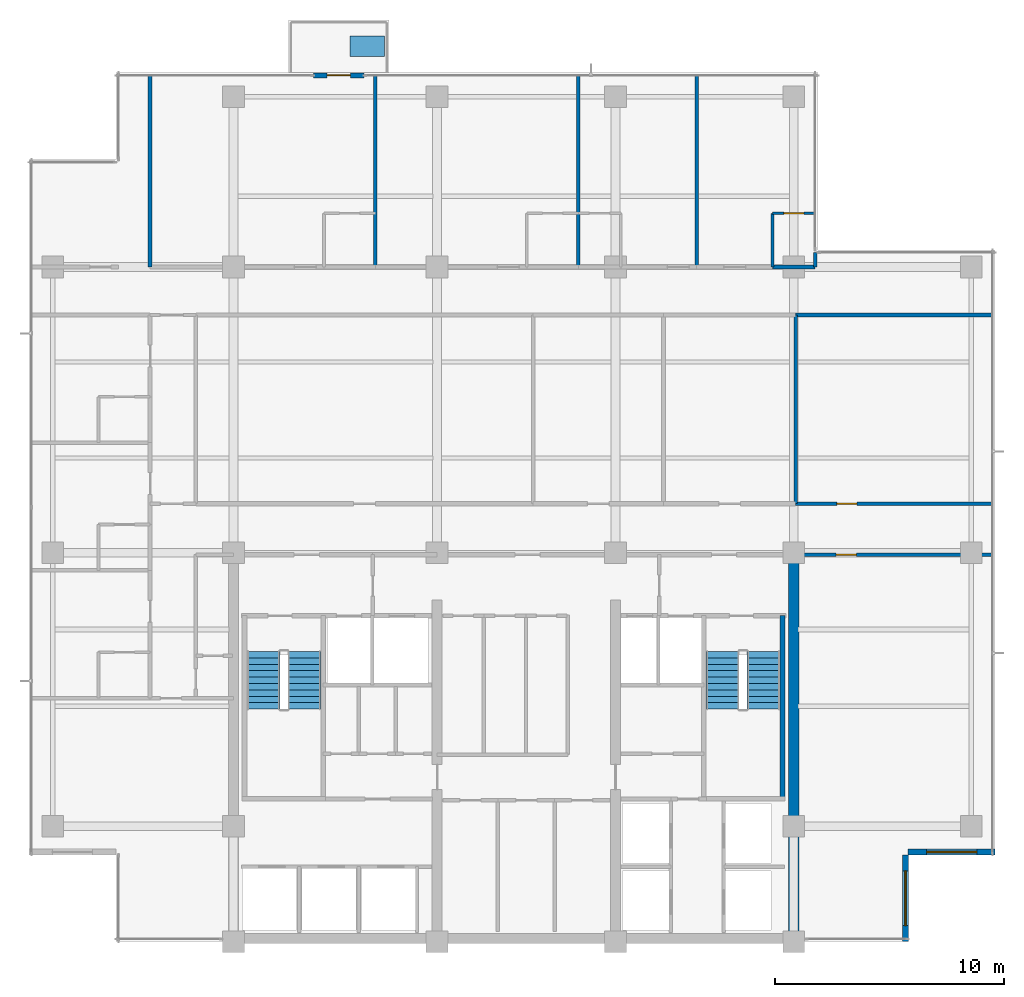
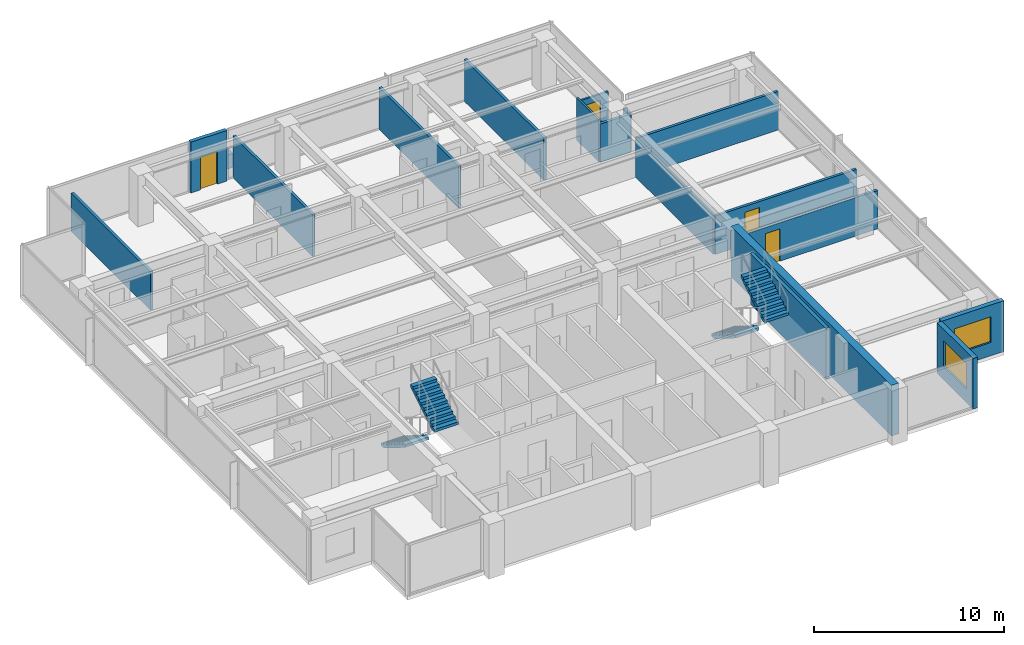
# One storey, part 10 of 14: 17 walls, 4 doors, 4 stair flights, 2 windows, 1 discrete accessory, 6 openings, 2 elements without a shape of their own.
"""IFC4 building model written with IfcOpenShell, lengths in metres."""

from ifc_helpers import new_model, si_unit, direction, frame, frame_2d, origin, place, context, subcontext, project, spatial, polyline, rectangle, outline, extrude, material, layer, layer_set, type_object, element, fill, aggregate, save


model = new_model("IFC4")

# Units and contexts
model_context = context("Model", 3, precision=1e-05, world=origin(), true_north=direction((0.0, 1.0)))
body_context = subcontext(model_context, "Body", "Model", "MODEL_VIEW")
ifc_project = project(units=[si_unit("LENGTHUNIT", "METRE"), si_unit("AREAUNIT", "SQUARE_METRE"), si_unit("VOLUMEUNIT", "CUBIC_METRE"), si_unit("PLANEANGLEUNIT", "RADIAN"), si_unit("MASSUNIT", "GRAM", prefix="KILO")], contexts=[model_context])

# Site, building, storey
site_placement = place(None, origin())
site = spatial("IfcSite", under=ifc_project, at=site_placement, CompositionType="ELEMENT")
building_placement = place(site_placement, origin())
building = spatial("IfcBuilding", under=site, at=building_placement, Name="Qalmaran Belvedere Hotel", CompositionType="ELEMENT")
storey_placement = place(building_placement, frame((0.0, 0.0, 200.39990234375)))
storey = spatial("IfcBuildingStorey", under=building, at=storey_placement, Name="L50", CompositionType="ELEMENT", Elevation=200.39990234375)

# Wall, opening, door
ifc_material_1 = material(Name="Anodised Bronze Cladding")
ifc_layer_1 = layer(ifc_material_1, 0.22509765625, Name="Anodised Bronze Cladding")
ifc_layer_set_1 = layer_set([ifc_layer_1], Name="Anodised Bronze Cladding")
wall_type_1 = type_object("IfcWallType", Name="WL-BAL-PORT-225", PredefinedType="SOLIDWALL", material=ifc_layer_set_1)
wall_1_placement = place(storey_placement, frame((23.800048828125, 41.3798828125, 0.0), z_axis=(0.0, 0.0, 1.0), x_axis=(1.0, 0.0, 0.0)))
wall_1 = element("IfcWall", 1, at=wall_1_placement, inside=storey, type_object=wall_type_1, Name="L50 Tree Balcony Door Portal", PredefinedType="SOLIDWALL", context=body_context, shape_type="SweptSolid", body=[
    extrude(rectangle(XDim=2.199951171875, YDim=0.22509765625, at=frame_2d((1.10009765625, 0.0))), origin(), (0.0, 0.0, 1.0), 3.260009765625),
])
opening_1_placement = place(wall_1_placement, frame((0.590087890625, 0.0, 0.0)))
opening_1 = element("IfcOpeningElement", 2, at=opening_1_placement, cuts=wall_1, Name="Opening BL-102", PredefinedType="OPENING", context=body_context, shape_type="SweptSolid", body=[
    extrude(rectangle(XDim=1.02001953125, YDim=2.10009765625, at=frame_2d((0.510009765625, 1.050048828125))), frame((0.0, 0.12255859375, 0.0), z_axis=(0.0, -1.0, 0.0), x_axis=(1.0, 0.0, 0.0)), (0.0, 0.0, 1.0), 0.2451171875),
])
ifc_material_2 = material(Name="Anodised Bronze Aluminium", Category="aluminium")
door_type_1 = type_object("IfcDoorType", Name="DR-BAL-1020X2100", OperationType="NOTDEFINED", PredefinedType="DOOR", material=ifc_material_2)
door_1_placement = place(opening_1_placement, origin())
door_1 = element("IfcDoor", 3, at=door_1_placement, inside=storey, type_object=door_type_1, Name="L50 Planted Tree Balcony Door", OperationType="SINGLE_SWING_LEFT", OverallHeight=2.10009765625, OverallWidth=1.02001953125, PredefinedType="DOOR", context=body_context, shape_type="SweptSolid", body=[
    extrude(rectangle(XDim=1.02001953125, YDim=2.10009765625, at=frame_2d((0.510009765625, 1.050048828125))), frame((0.0, 0.02490234375, 0.0), z_axis=(0.0, -1.0, 0.0), x_axis=(1.0, 0.0, 0.0)), (0.0, 0.0, 1.0), 0.050048828125),
])
fill(opening_1, door_1)

# Wall
ifc_material_3 = material(Name="Concrete C50/60", Category="concrete")
ifc_layer_2 = layer(ifc_material_3, 0.449951171875, Name="Concrete C50/60")
ifc_layer_set_2 = layer_set([ifc_layer_2], Name="Concrete C50/60")
wall_type_2 = type_object("IfcWallType", Name="WL-CORE-450-C50", PredefinedType="SHEAR", material=ifc_layer_set_2)
wall_2_placement = place(storey_placement, frame((44.800048828125, 3.5, 0.0), z_axis=(0.0, 0.0, 1.0), x_axis=(0.0, 1.0, 0.0)))
element("IfcWall", 4, at=wall_2_placement, inside=storey, type_object=wall_type_2, Name="L50 East Core Shear Wall", PredefinedType="SHEAR", context=body_context, shape_type="SweptSolid", body=[
    extrude(rectangle(XDim=16.89990234375, YDim=0.449951171875, at=frame_2d((8.449951171875, 0.0))), origin(), (0.0, 0.0, 1.0), 3.260009765625),
])

# Wall, opening, window
ifc_layer_3 = layer(ifc_material_1, 0.280029296875, Name="Anodised Bronze Cladding")
ifc_layer_set_3 = layer_set([ifc_layer_3], Name="Anodised Bronze Cladding")
wall_type_3 = type_object("IfcWallType", Name="WL-EXT-BRNZ-280", PredefinedType="SOLIDWALL", material=ifc_layer_set_3)
wall_3_placement = place(storey_placement, frame((49.679931640625, 3.5, 0.0), z_axis=(0.0, 0.0, 1.0), x_axis=(0.0, 1.0, 0.0)))
wall_3 = element("IfcWall", 5, at=wall_3_placement, inside=storey, type_object=wall_type_3, Name="L50 Corner Notch Wall 1", PredefinedType="SOLIDWALL", context=body_context, shape_type="SweptSolid", body=[
    extrude(rectangle(XDim=3.800048828125, YDim=0.280029296875, at=frame_2d((1.89990234375, 0.0))), origin(), (0.0, 0.0, 1.0), 3.260009765625),
])
opening_2_placement = place(wall_3_placement, frame((0.699951171875, 0.0, 0.85009765625)))
opening_2 = element("IfcOpeningElement", 6, at=opening_2_placement, cuts=wall_3, Name="Opening W-N24", PredefinedType="OPENING", context=body_context, shape_type="SweptSolid", body=[
    extrude(rectangle(XDim=2.39990234375, YDim=1.64990234375, at=frame_2d((1.199951171875, 0.824951171875))), frame((0.0, 0.14990234375, 0.0), z_axis=(0.0, -1.0, 0.0), x_axis=(1.0, 0.0, 0.0)), (0.0, 0.0, 1.0), 0.300048828125),
])
ifc_material_4 = material(Name="Solar-Control Double Glazing", Category="glass")
window_type_1 = type_object("IfcWindowType", Name="WN-NTC-2400X1650", PartitioningType="SINGLE_PANEL", PredefinedType="WINDOW", material=ifc_material_4)
window_1_placement = place(opening_2_placement, origin())
window_1 = element("IfcWindow", 7, at=window_1_placement, inside=storey, type_object=window_type_1, Name="L50 Corner Notch Window 1", OverallHeight=1.64990234375, OverallWidth=2.39990234375, PartitioningType="SINGLE_PANEL", PredefinedType="WINDOW", context=body_context, shape_type="SweptSolid", body=[
    extrude(rectangle(XDim=2.39990234375, YDim=1.64990234375, at=frame_2d((1.199951171875, 0.824951171875))), frame((0.0, 0.030029296875, 0.0), z_axis=(0.0, -1.0, 0.0), x_axis=(1.0, 0.0, 0.0)), (0.0, 0.0, 1.0), 0.06005859375),
])
fill(opening_2, window_1)

wall_4_placement = place(storey_placement, frame((49.800048828125, 7.419921875, 0.0), z_axis=(0.0, 0.0, 1.0), x_axis=(1.0, 0.0, 0.0)))
wall_4 = element("IfcWall", 8, at=wall_4_placement, inside=storey, type_object=wall_type_3, Name="L50 Corner Notch Wall 2", PredefinedType="SOLIDWALL", context=body_context, shape_type="SweptSolid", body=[
    extrude(rectangle(XDim=3.800048828125, YDim=0.280029296875, at=frame_2d((1.89990234375, 0.0))), origin(), (0.0, 0.0, 1.0), 3.260009765625),
])
opening_3_placement = place(wall_4_placement, frame((0.800048828125, 0.0, 0.85009765625)))
opening_3 = element("IfcOpeningElement", 9, at=opening_3_placement, cuts=wall_4, Name="Opening W-N22", PredefinedType="OPENING", context=body_context, shape_type="SweptSolid", body=[
    extrude(rectangle(XDim=2.199951171875, YDim=1.64990234375, at=frame_2d((1.10009765625, 0.824951171875))), frame((0.0, 0.14990234375, 0.0), z_axis=(0.0, -1.0, 0.0), x_axis=(1.0, 0.0, 0.0)), (0.0, 0.0, 1.0), 0.300048828125),
])
window_type_2 = type_object("IfcWindowType", Name="WN-NTC-2200X1650", PartitioningType="SINGLE_PANEL", PredefinedType="WINDOW", material=ifc_material_4)
window_2_placement = place(opening_3_placement, origin())
window_2 = element("IfcWindow", 10, at=window_2_placement, inside=storey, type_object=window_type_2, Name="L50 Corner Notch Window 2", OverallHeight=1.64990234375, OverallWidth=2.199951171875, PartitioningType="SINGLE_PANEL", PredefinedType="WINDOW", context=body_context, shape_type="SweptSolid", body=[
    extrude(rectangle(XDim=2.199951171875, YDim=1.64990234375, at=frame_2d((1.10009765625, 0.824951171875))), frame((0.0, 0.030029296875, 0.0), z_axis=(0.0, -1.0, 0.0), x_axis=(1.0, 0.0, 0.0)), (0.0, 0.0, 1.0), 0.06005859375),
])
fill(opening_3, window_2)

# Wall, opening, door
ifc_material_5 = material(Name="Moisture-Resistant Gypsum")
ifc_layer_4 = layer(ifc_material_5, 0.1201171875, Name="Moisture-Resistant Gypsum")
ifc_layer_set_4 = layer_set([ifc_layer_4], Name="Moisture-Resistant Gypsum")
wall_type_4 = type_object("IfcWallType", Name="WL-INT-120-BATH", PredefinedType="PARTITIONING", material=ifc_layer_set_4)
wall_5_placement = place(storey_placement, frame((43.8701171875, 35.35009765625, 0.0), z_axis=(0.0, 0.0, 1.0), x_axis=(1.0, 0.0, 0.0)))
wall_5 = element("IfcWall", 11, at=wall_5_placement, inside=storey, type_object=wall_type_4, Name="L50 Partition WL-L50-NBN03", PredefinedType="PARTITIONING", context=body_context, shape_type="SweptSolid", body=[
    extrude(rectangle(XDim=1.85986328125, YDim=0.1201171875, at=frame_2d((0.929931640625, 0.0))), origin(), (0.0, 0.0, 1.0), 2.47216796875),
])
opening_4_placement = place(wall_5_placement, frame((1.369873046875, 0.0, 0.0), z_axis=(0.0, 0.0, 1.0), x_axis=(-1.0, 0.0, 0.0)))
opening_4 = element("IfcOpeningElement", 12, at=opening_4_placement, cuts=wall_5, Name="Opening D-BATH", PredefinedType="OPENING", context=body_context, shape_type="SweptSolid", body=[
    extrude(rectangle(XDim=0.8798828125, YDim=2.080078125, at=frame_2d((0.43994140625, 1.0400390625))), frame((0.0, 0.070068359375, 0.0), z_axis=(0.0, -1.0, 0.0), x_axis=(1.0, 0.0, 0.0)), (0.0, 0.0, 1.0), 0.14013671875),
])
ifc_material_6 = material(Name="Engineered Oak Veneer")
door_type_2 = type_object("IfcDoorType", Name="DR-INT-BATH-880X2080", OperationType="NOTDEFINED", PredefinedType="DOOR", material=ifc_material_6)
door_2_placement = place(opening_4_placement, origin())
door_2 = element("IfcDoor", 13, at=door_2_placement, inside=storey, type_object=door_type_2, Name="L50 Ensuite Bathroom Door N04", OperationType="SINGLE_SWING_LEFT", OverallHeight=2.080078125, OverallWidth=0.8798828125, PredefinedType="DOOR", context=body_context, shape_type="SweptSolid", body=[
    extrude(rectangle(XDim=0.8798828125, YDim=2.080078125, at=frame_2d((0.43994140625, 1.0400390625))), frame((0.0, 0.02490234375, 0.0), z_axis=(0.0, -1.0, 0.0), x_axis=(1.0, 0.0, 0.0)), (0.0, 0.0, 1.0), 0.050048828125),
])
fill(opening_4, door_2)

# Wall
wall_6_placement = place(storey_placement, frame((43.8701171875, 33.0, 0.0), z_axis=(0.0, 0.0, 1.0), x_axis=(0.0, 1.0, 0.0)))
element("IfcWall", 14, at=wall_6_placement, inside=storey, type_object=wall_type_4, Name="L50 Partition WL-L50-NBS03", PredefinedType="PARTITIONING", context=body_context, shape_type="SweptSolid", body=[
    extrude(rectangle(XDim=2.35009765625, YDim=0.1201171875, at=frame_2d((1.175048828125, 0.0))), origin(), (0.0, 0.0, 1.0), 2.7060546875),
])

# Wall, opening, door
ifc_material_7 = material(Name="Gypsum Stud Partition")
ifc_layer_5 = layer(ifc_material_7, 0.159912109375, Name="Gypsum Stud Partition")
ifc_layer_set_5 = layer_set([ifc_layer_5], Name="Gypsum Stud Partition")
wall_type_5 = type_object("IfcWallType", Name="WL-INT-160-EI60", PredefinedType="PARTITIONING", material=ifc_layer_set_5)
wall_7_placement = place(storey_placement, frame((44.800048828125, 20.419921875, 0.0), z_axis=(0.0, 0.0, 1.0), x_axis=(1.0, 0.0, 0.0)))
wall_7 = element("IfcWall", 15, at=wall_7_placement, inside=storey, type_object=wall_type_5, Name="L50 Partition WL-L50-ECE1S", PredefinedType="PARTITIONING", context=body_context, shape_type="SweptSolid", body=[
    extrude(rectangle(XDim=8.679931640625, YDim=0.159912109375, at=frame_2d((4.33984375, 0.0))), origin(), (0.0, 0.0, 1.0), 2.47216796875),
])
opening_5_placement = place(wall_7_placement, frame((2.72998046875, 0.0, 0.0), z_axis=(0.0, 0.0, 1.0), x_axis=(-1.0, 0.0, 0.0)))
opening_5 = element("IfcOpeningElement", 16, at=opening_5_placement, cuts=wall_7, Name="Opening FD60B", PredefinedType="OPENING", context=body_context, shape_type="SweptSolid", body=[
    extrude(rectangle(XDim=0.8798828125, YDim=2.080078125, at=frame_2d((0.43994140625, 1.0400390625))), frame((0.0, 0.08984375, 0.0), z_axis=(0.0, -1.0, 0.0), x_axis=(1.0, 0.0, 0.0)), (0.0, 0.0, 1.0), 0.179931640625),
])
ifc_material_8 = material(Name="Steel S355JR", Category="steel")
door_type_3 = type_object("IfcDoorType", Name="DR-FD60B-880X2080", OperationType="NOTDEFINED", PredefinedType="DOOR", material=ifc_material_8)
door_3_placement = place(opening_5_placement, origin())
door_3 = element("IfcDoor", 17, at=door_3_placement, inside=storey, type_object=door_type_3, Name="L50 East Library Door", OperationType="SINGLE_SWING_RIGHT", OverallHeight=2.080078125, OverallWidth=0.8798828125, PredefinedType="DOOR", context=body_context, shape_type="SweptSolid", body=[
    extrude(rectangle(XDim=0.8798828125, YDim=2.080078125, at=frame_2d((0.43994140625, 1.0400390625))), frame((0.0, 0.02490234375, 0.0), z_axis=(0.0, -1.0, 0.0), x_axis=(1.0, 0.0, 0.0)), (0.0, 0.0, 1.0), 0.050048828125),
])
fill(opening_5, door_3)

wall_8_placement = place(storey_placement, frame((44.8798828125, 22.64990234375, 0.0), z_axis=(0.0, 0.0, 1.0), x_axis=(1.0, 0.0, 0.0)))
wall_8 = element("IfcWall", 18, at=wall_8_placement, inside=storey, type_object=wall_type_5, Name="L50 Partition WL-L50-ECE2N", PredefinedType="PARTITIONING", context=body_context, shape_type="SweptSolid", body=[
    extrude(rectangle(XDim=8.60009765625, YDim=0.159912109375, at=frame_2d((4.300048828125, 0.0))), origin(), (0.0, 0.0, 1.0), 2.47216796875),
])
opening_6_placement = place(wall_8_placement, frame((1.800048828125, 0.0, 0.0)))
opening_6 = element("IfcOpeningElement", 19, at=opening_6_placement, cuts=wall_8, Name="Opening FD60B", PredefinedType="OPENING", context=body_context, shape_type="SweptSolid", body=[
    extrude(rectangle(XDim=0.8798828125, YDim=2.080078125, at=frame_2d((0.43994140625, 1.0400390625))), frame((0.0, 0.08984375, 0.0), z_axis=(0.0, -1.0, 0.0), x_axis=(1.0, 0.0, 0.0)), (0.0, 0.0, 1.0), 0.179931640625),
])
door_4_placement = place(opening_6_placement, origin())
door_4 = element("IfcDoor", 20, at=door_4_placement, inside=storey, type_object=door_type_3, Name="L50 East Fitness Door", OperationType="SINGLE_SWING_LEFT", OverallHeight=2.080078125, OverallWidth=0.8798828125, PredefinedType="DOOR", context=body_context, shape_type="SweptSolid", body=[
    extrude(rectangle(XDim=0.8798828125, YDim=2.080078125, at=frame_2d((0.43994140625, 1.0400390625))), frame((0.0, 0.02490234375, 0.0), z_axis=(0.0, -1.0, 0.0), x_axis=(1.0, 0.0, 0.0)), (0.0, 0.0, 1.0), 0.050048828125),
])
fill(opening_6, door_4)

# Walls
wall_9_placement = place(storey_placement, frame((44.8798828125, 30.89990234375, 0.0), z_axis=(0.0, 0.0, 1.0), x_axis=(1.0, 0.0, 0.0)))
element("IfcWall", 21, at=wall_9_placement, inside=storey, type_object=wall_type_5, Name="L50 Partition WL-L50-ECEN", PredefinedType="PARTITIONING", context=body_context, shape_type="SweptSolid", body=[
    extrude(rectangle(XDim=8.60009765625, YDim=0.159912109375, at=frame_2d((4.300048828125, 0.0))), origin(), (0.0, 0.0, 1.0), 2.47216796875),
])
wall_10_placement = place(storey_placement, frame((44.8798828125, 22.64990234375, 0.0), z_axis=(0.0, 0.0, 1.0), x_axis=(0.0, 1.0, 0.0)))
element("IfcWall", 22, at=wall_10_placement, inside=storey, type_object=wall_type_5, Name="L50 Partition WL-L50-MIDVR3", PredefinedType="PARTITIONING", context=body_context, shape_type="SweptSolid", body=[
    extrude(rectangle(XDim=8.25, YDim=0.159912109375, at=frame_2d((4.125, 0.0))), origin(), (0.0, 0.0, 1.0), 2.47216796875),
])
wall_11_placement = place(storey_placement, frame((16.64990234375, 33.0, 0.0), z_axis=(0.0, 0.0, 1.0), x_axis=(0.0, 1.0, 0.0)))
element("IfcWall", 23, at=wall_11_placement, inside=storey, type_object=wall_type_5, Name="L50 Partition WL-L50-NUL", PredefinedType="PARTITIONING", context=body_context, shape_type="SweptSolid", body=[
    extrude(rectangle(XDim=8.3798828125, YDim=0.159912109375, at=frame_2d((4.18994140625, 0.0))), origin(), (0.0, 0.0, 1.0), 2.47216796875),
])
for number, where, z_axis, x_axis, name in (
    (24, (26.5, 33.0, 0.0), (0.0, 0.0, 1.0), (0.0, 1.0, 0.0), "L50 Partition WL-L50-NUR00"),
    (25, (35.37353515625, 33.0, 0.0), (0.0, 0.0, 1.0), (0.0, 1.0, 0.0), "L50 Partition WL-L50-NUR01"),
    (26, (40.5517578125, 33.0, 0.0), (0.0, 0.0, 1.0), (0.0, 1.0, 0.0), "L50 Partition WL-L50-NUR02"),
):
    element("IfcWall", number, at=place(storey_placement, frame(where, z_axis=z_axis, x_axis=x_axis)), inside=storey, type_object=wall_type_5, Name=name, PredefinedType="PARTITIONING", context=body_context, shape_type="SweptSolid", body=[
        extrude(rectangle(XDim=8.3798828125, YDim=0.159912109375, at=frame_2d((4.18994140625, 0.0))), origin(), (0.0, 0.0, 1.0), 2.7060546875),
    ])
wall_12_placement = place(storey_placement, frame((45.72998046875, 33.0, 0.0), z_axis=(0.0, 0.0, 1.0), x_axis=(0.0, 1.0, 0.0)))
element("IfcWall", 27, at=wall_12_placement, inside=storey, type_object=wall_type_5, Name="L50 Partition WL-L50-NUR03", PredefinedType="PARTITIONING", context=body_context, shape_type="SweptSolid", body=[
    extrude(rectangle(XDim=0.6298828125, YDim=0.159912109375, at=frame_2d((0.31494140625, 0.0))), origin(), (0.0, 0.0, 1.0), 2.47216796875),
])
ifc_layer_6 = layer(ifc_material_7, 0.179931640625, Name="Gypsum Stud Partition")
ifc_layer_set_6 = layer_set([ifc_layer_6], Name="Gypsum Stud Partition")
wall_type_6 = type_object("IfcWallType", Name="WL-INT-180-EI60", PredefinedType="PARTITIONING", material=ifc_layer_set_6)
wall_13_placement = place(storey_placement, frame((43.8701171875, 33.0, 0.0), z_axis=(0.0, 0.0, 1.0), x_axis=(1.0, 0.0, 0.0)))
element("IfcWall", 28, at=wall_13_placement, inside=storey, type_object=wall_type_6, Name="L50 Partition WL-L50-NBC03", PredefinedType="PARTITIONING", context=body_context, shape_type="SweptSolid", body=[
    extrude(rectangle(XDim=1.85986328125, YDim=0.179931640625, at=frame_2d((0.929931640625, 0.0))), origin(), (0.0, 0.0, 1.0), 2.47216796875),
])
ifc_layer_7 = layer(ifc_material_3, 0.2099609375, Name="Concrete C50/60")
ifc_layer_set_7 = layer_set([ifc_layer_7], Name="Concrete C50/60")
wall_type_7 = type_object("IfcWallType", Name="WL-STAIR-210-C50", PredefinedType="SHEAR", material=ifc_layer_set_7)
wall_14_placement = place(storey_placement, frame((44.304931640625, 9.7451171875, 0.0), z_axis=(0.0, 0.0, 1.0), x_axis=(0.0, 1.0, 0.0)))
element("IfcWall", 29, at=wall_14_placement, inside=storey, type_object=wall_type_7, Name="L50 Stair ST-2 East Bearing Wall", PredefinedType="SHEAR", context=body_context, shape_type="SweptSolid", body=[
    extrude(rectangle(XDim=8.009765625, YDim=0.2099609375, at=frame_2d((4.0048828125, 0.0))), origin(), (0.0, 0.0, 1.0), 3.260009765625),
])

# Stair, stair flights
ifc_material_9 = material(Name="Concrete C40/50", Category="concrete")
stair_type_1 = type_object("IfcStairType", Name="STR-ST-1-1450-R1750", PredefinedType="HALF_TURN_STAIR", material=ifc_material_9)
stair_1_placement = place(storey_placement, origin())
stair_1 = element("IfcStair", 30, at=stair_1_placement, inside=storey, type_object=stair_type_1, Name="L50 West Core Exit Stair ST-1", PredefinedType="HALF_TURN_STAIR")
ifc_layer_8 = layer(ifc_material_9, 0.14990234375, Name="Concrete C40/50")
ifc_layer_set_8 = layer_set([ifc_layer_8], Name="Concrete C40/50")
stair_flight_type_1 = type_object("IfcStairFlightType", Name="STF-ST-1-1450-R1750", PredefinedType="STRAIGHT", material=ifc_layer_set_8)
stair_flight_1_placement = place(storey_placement, frame((21.60498046875, 16.18994140625, 0.0), z_axis=(0.0, 0.0, 1.0), x_axis=(0.0, -1.0, 0.0)))
stair_flight_1 = element("IfcStairFlight", 31, at=stair_flight_1_placement, type_object=stair_flight_type_1, Name="ST-1 flight 1", NumberOfRisers=10, NumberOfTreads=9, PredefinedType="STRAIGHT", RiserHeight=0.175, TreadLength=0.28, context=body_context, shape_type="SweptSolid", body=[
    extrude(outline(polyline([(0.0, 0.0), (0.0, 0.175048828125), (0.280029296875, 0.175048828125), (0.280029296875, 0.35009765625), (0.56005859375, 0.35009765625), (0.56005859375, 0.52490234375), (0.840087890625, 0.52490234375), (0.840087890625, 0.699951171875), (1.1201171875, 0.699951171875), (1.1201171875, 0.875), (1.39990234375, 0.875), (1.39990234375, 1.050048828125), (1.679931640625, 1.050048828125), (1.679931640625, 1.22509765625), (1.9599609375, 1.22509765625), (1.9599609375, 1.39990234375), (2.239990234375, 1.39990234375), (2.239990234375, 1.574951171875), (2.52001953125, 1.574951171875), (2.52001953125, 1.75), (2.52001953125, 1.398193359375), (0.28271484375, 0.0), (0.0, 0.0)])), frame((0.0, 0.72509765625, 0.0), z_axis=(0.0, -1.0, 0.0), x_axis=(1.0, 0.0, 0.0)), (0.0, 0.0, 1.0), 1.449951171875),
])
stair_flight_2_placement = place(storey_placement, frame((23.39501953125, 13.669921875, 1.75), z_axis=(0.0, 0.0, 1.0), x_axis=(0.0, 1.0, 0.0)))
stair_flight_2 = element("IfcStairFlight", 32, at=stair_flight_2_placement, type_object=stair_flight_type_1, Name="ST-1 flight 2", NumberOfRisers=10, NumberOfTreads=9, PredefinedType="STRAIGHT", RiserHeight=0.175, TreadLength=0.28, context=body_context, shape_type="SweptSolid", body=[
    extrude(outline(polyline([(0.0, 0.0), (0.0, 0.175048828125), (0.280029296875, 0.175048828125), (0.280029296875, 0.35009765625), (0.56005859375, 0.35009765625), (0.56005859375, 0.52490234375), (0.840087890625, 0.52490234375), (0.840087890625, 0.699951171875), (1.1201171875, 0.699951171875), (1.1201171875, 0.875), (1.39990234375, 0.875), (1.39990234375, 1.050048828125), (1.679931640625, 1.050048828125), (1.679931640625, 1.22509765625), (1.9599609375, 1.22509765625), (1.9599609375, 1.39990234375), (2.239990234375, 1.39990234375), (2.239990234375, 1.574951171875), (2.52001953125, 1.574951171875), (2.52001953125, 1.75), (2.52001953125, 1.398193359375), (0.28271484375, 0.0), (0.0, 0.0)])), frame((0.0, 0.72509765625, 0.0), z_axis=(0.0, -1.0, 0.0), x_axis=(1.0, 0.0, 0.0)), (0.0, 0.0, 1.0), 1.449951171875),
])
aggregate(stair_1, [stair_flight_1, stair_flight_2])

stair_type_2 = type_object("IfcStairType", Name="STR-ST-2-1450-R1750", PredefinedType="HALF_TURN_STAIR", material=ifc_material_9)
stair_2_placement = place(storey_placement, origin())
stair_2 = element("IfcStair", 33, at=stair_2_placement, inside=storey, type_object=stair_type_2, Name="L50 East Core Exit Stair ST-2", PredefinedType="HALF_TURN_STAIR")
ifc_layer_9 = layer(ifc_material_9, 0.14990234375, Name="Concrete C40/50")
ifc_layer_set_9 = layer_set([ifc_layer_9], Name="Concrete C40/50")
stair_flight_type_2 = type_object("IfcStairFlightType", Name="STF-ST-2-1450-R1750", PredefinedType="STRAIGHT", material=ifc_layer_set_9)
stair_flight_3_placement = place(storey_placement, frame((41.68505859375, 16.18994140625, 0.0), z_axis=(0.0, 0.0, 1.0), x_axis=(0.0, -1.0, 0.0)))
stair_flight_3 = element("IfcStairFlight", 34, at=stair_flight_3_placement, type_object=stair_flight_type_2, Name="ST-2 flight 1", NumberOfRisers=10, NumberOfTreads=9, PredefinedType="STRAIGHT", RiserHeight=0.175, TreadLength=0.28, context=body_context, shape_type="SweptSolid", body=[
    extrude(outline(polyline([(0.0, 0.0), (0.0, 0.175048828125), (0.280029296875, 0.175048828125), (0.280029296875, 0.35009765625), (0.56005859375, 0.35009765625), (0.56005859375, 0.52490234375), (0.840087890625, 0.52490234375), (0.840087890625, 0.699951171875), (1.1201171875, 0.699951171875), (1.1201171875, 0.875), (1.39990234375, 0.875), (1.39990234375, 1.050048828125), (1.679931640625, 1.050048828125), (1.679931640625, 1.22509765625), (1.9599609375, 1.22509765625), (1.9599609375, 1.39990234375), (2.239990234375, 1.39990234375), (2.239990234375, 1.574951171875), (2.52001953125, 1.574951171875), (2.52001953125, 1.75), (2.52001953125, 1.398193359375), (0.28271484375, 0.0), (0.0, 0.0)])), frame((0.0, 0.72509765625, 0.0), z_axis=(0.0, -1.0, 0.0), x_axis=(1.0, 0.0, 0.0)), (0.0, 0.0, 1.0), 1.449951171875),
])
stair_flight_4_placement = place(storey_placement, frame((43.47509765625, 13.669921875, 1.75), z_axis=(0.0, 0.0, 1.0), x_axis=(0.0, 1.0, 0.0)))
stair_flight_4 = element("IfcStairFlight", 35, at=stair_flight_4_placement, type_object=stair_flight_type_2, Name="ST-2 flight 2", NumberOfRisers=10, NumberOfTreads=9, PredefinedType="STRAIGHT", RiserHeight=0.175, TreadLength=0.28, context=body_context, shape_type="SweptSolid", body=[
    extrude(outline(polyline([(0.0, 0.0), (0.0, 0.175048828125), (0.280029296875, 0.175048828125), (0.280029296875, 0.35009765625), (0.56005859375, 0.35009765625), (0.56005859375, 0.52490234375), (0.840087890625, 0.52490234375), (0.840087890625, 0.699951171875), (1.1201171875, 0.699951171875), (1.1201171875, 0.875), (1.39990234375, 0.875), (1.39990234375, 1.050048828125), (1.679931640625, 1.050048828125), (1.679931640625, 1.22509765625), (1.9599609375, 1.22509765625), (1.9599609375, 1.39990234375), (2.239990234375, 1.39990234375), (2.239990234375, 1.574951171875), (2.52001953125, 1.574951171875), (2.52001953125, 1.75), (2.52001953125, 1.398193359375), (0.28271484375, 0.0), (0.0, 0.0)])), frame((0.0, 0.72509765625, 0.0), z_axis=(0.0, -1.0, 0.0), x_axis=(1.0, 0.0, 0.0)), (0.0, 0.0, 1.0), 1.449951171875),
])
aggregate(stair_2, [stair_flight_3, stair_flight_4])

# Discrete accessory
discrete_accessory_type = type_object("IfcDiscreteAccessoryType", Name="PLN-BAL-1500", PredefinedType="USERDEFINED", material=ifc_material_9)
discrete_accessory_placement = place(storey_placement, origin())
element("IfcDiscreteAccessory", 36, at=discrete_accessory_placement, inside=storey, type_object=discrete_accessory_type, Name="L50 Sky Tree Planter", ObjectType="PLANTER", PredefinedType="USERDEFINED", context=body_context, shape_type="SweptSolid", body=[
    extrude(outline(polyline([(25.39990234375, 42.199951171875), (26.89990234375, 42.199951171875), (26.89990234375, 43.10009765625), (25.39990234375, 43.10009765625), (25.39990234375, 42.199951171875)])), origin(), (0.0, 0.0, 1.0), 0.900146484375),
])

save(model, "model.ifc")
